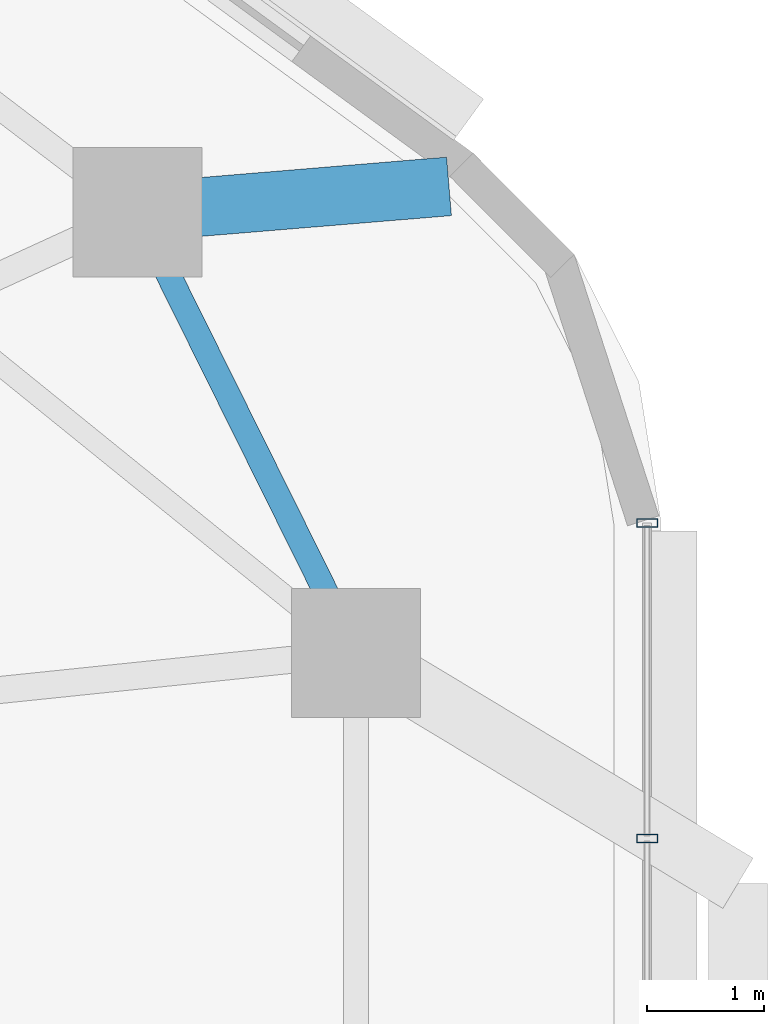
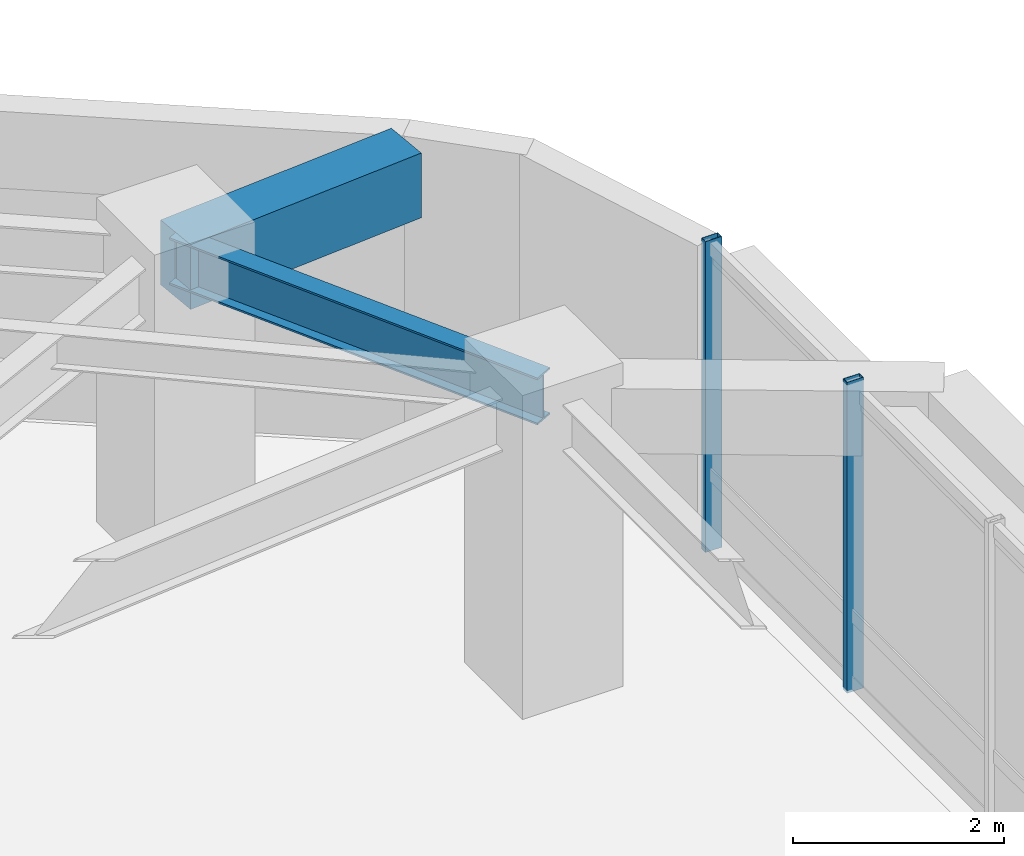
# One storey, part 7 of 15: 2 beams, 2 members, 1 element without a shape of its own.
"""IFC4 building model written with IfcOpenShell, lengths in metres."""

from ifc_helpers import new_model, si_unit, direction, frame, origin, origin_2d, place, context, subcontext, project, spatial, rectangle, hollow_rectangle, i_section, extrude, material, material_profile, profile_set, type_object, element, aggregate, save


model = new_model("IFC4")

# Units and contexts
model_context = context("Model", 3, precision=1e-05, world=origin(), true_north=direction((0.0, 1.0)))
body_context = subcontext(model_context, "Body", "Model", "MODEL_VIEW")
ifc_project = project(units=[si_unit("LENGTHUNIT", "METRE"), si_unit("AREAUNIT", "SQUARE_METRE"), si_unit("VOLUMEUNIT", "CUBIC_METRE"), si_unit("PLANEANGLEUNIT", "RADIAN"), si_unit("MASSUNIT", "GRAM", prefix="KILO")], contexts=[model_context])

# Site, building, storey
site_placement = place(None, origin())
site = spatial("IfcSite", under=ifc_project, at=site_placement, CompositionType="ELEMENT")
building_placement = place(site_placement, origin())
building = spatial("IfcBuilding", under=site, at=building_placement, Name="Zulverin Broadcast Headquarters", CompositionType="ELEMENT")
storey_placement = place(building_placement, frame((0.0, 0.0, 132.60009765625)))
storey = spatial("IfcBuildingStorey", under=building, at=storey_placement, Name="L33", CompositionType="ELEMENT", Elevation=132.60009765625)

# Beams
ifc_material_1 = material(Name="Concrete C40/50", Category="concrete")
ifc_material_profile_1 = material_profile(ifc_material_1, rectangle(XDim=0.5, YDim=0.75, at=origin_2d()), Name="Concrete C40/50", Category="concrete")
ifc_profile_set_1 = profile_set([ifc_material_profile_1], Name="Concrete C40/50")
beam_type_1 = type_object("IfcBeamType", Name="BM-RC-500x750", PredefinedType="BEAM", material=ifc_profile_set_1)
beam_1_placement = place(storey_placement, frame((58.738037109375, 37.877685546875, 3.164794921875), z_axis=(0.996584209885, 0.082582762173, 0.0), x_axis=(-0.082582762173, 0.996584209885, 0.0)))
element("IfcBeam", 1, at=beam_1_placement, inside=storey, type_object=beam_type_1, Name="L34 Plate Overhang Back-Spanned Beam OVR-07", PredefinedType="BEAM", context=body_context, shape_type="SweptSolid", body=[
    extrude(rectangle(XDim=0.5, YDim=0.75, at=origin_2d()), origin(), (0.0, 0.0, 1.0), 2.66357421875),
])
ifc_material_2 = material(Name="Structural steel S355JR", Category="steel")
ifc_material_profile_2 = material_profile(ifc_material_2, i_section(OverallWidth=0.2119140625, OverallDepth=0.54443359375, WebThickness=0.0126953125, FlangeThickness=0.021240234375, at=origin_2d()), Name="Structural steel S355JR", Category="steel")
ifc_profile_set_2 = profile_set([ifc_material_profile_2], Name="Structural steel S355JR")
beam_type_2 = type_object("IfcBeamType", Name="BM-UB-533", PredefinedType="SPANDREL", material=ifc_profile_set_2)
beam_2_placement = place(storey_placement, frame((60.60009765625, 34.12158203125, 3.267578125), z_axis=(-0.444159471033, 0.895947746407, 0.0), x_axis=(-0.895947746407, -0.444159471033, 0.0)))
element("IfcBeam", 2, at=beam_2_placement, inside=storey, type_object=beam_type_2, Name="L33 Perimeter Spandrel Beam SP-06", PredefinedType="SPANDREL", context=body_context, shape_type="SweptSolid", body=[
    extrude(i_section(OverallWidth=0.2119140625, OverallDepth=0.54443359375, WebThickness=0.0126953125, FlangeThickness=0.021240234375, at=origin_2d()), origin(), (0.0, 0.0, 1.0), 4.1923828125),
])

# Curtain wall, members
ifc_material_3 = material(Name="Waist wind-pressure unitised curtain wall", Category="aluminium")
curtain_wall_type = type_object("IfcCurtainWallType", Name="CW-TWR-WST", PredefinedType="USERDEFINED", material=ifc_material_3)
curtain_wall_placement = place(storey_placement, origin())
curtain_wall = element("IfcCurtainWall", 3, at=curtain_wall_placement, inside=storey, type_object=curtain_wall_type, Name="L33 Unitised Curtain Wall CW-L33-E3", ObjectType="UNITISED CURTAIN WALL", PredefinedType="USERDEFINED")
ifc_material_4 = material(Name="Anodized pale-metal aluminium alloy 6063-T6", Category="aluminium")
ifc_material_profile_3 = material_profile(ifc_material_4, hollow_rectangle(XDim=0.074951171875, YDim=0.179931640625, WallThickness=0.0048828125, at=origin_2d()), Name="Anodized pale-metal aluminium alloy 6063-T6", Category="aluminium")
ifc_profile_set_3 = profile_set([ifc_material_profile_3], Name="Anodized pale-metal aluminium alloy 6063-T6")
member_type = type_object("IfcMemberType", Name="CW-MUL-180", PredefinedType="MULLION", material=ifc_profile_set_3)
member_1_placement = place(storey_placement, frame((63.080078125, 32.54248046875, -0.030029296875), z_axis=(0.0, 0.0, 1.0), x_axis=(0.0, 1.0, 0.0)))
member_1 = element("IfcMember", 4, at=member_1_placement, type_object=member_type, Name="CW-L33-E3 Mullion 06", PredefinedType="MULLION", context=body_context, shape_type="SweptSolid", body=[
    extrude(hollow_rectangle(XDim=0.074951171875, YDim=0.179931640625, WallThickness=0.0048828125, at=origin_2d()), origin(), (0.0, 0.0, 1.0), 3.599853515625),
])
member_2_placement = place(storey_placement, frame((63.080078125, 35.22998046875, -0.030029296875), z_axis=(0.0, 0.0, 1.0), x_axis=(0.0, 1.0, 0.0)))
member_2 = element("IfcMember", 5, at=member_2_placement, type_object=member_type, Name="CW-L33-E3 Mullion 07", PredefinedType="MULLION", context=body_context, shape_type="SweptSolid", body=[
    extrude(hollow_rectangle(XDim=0.074951171875, YDim=0.179931640625, WallThickness=0.0048828125, at=origin_2d()), origin(), (0.0, 0.0, 1.0), 3.599853515625),
])
aggregate(curtain_wall, [member_1, member_2])

save(model, "model.ifc")
